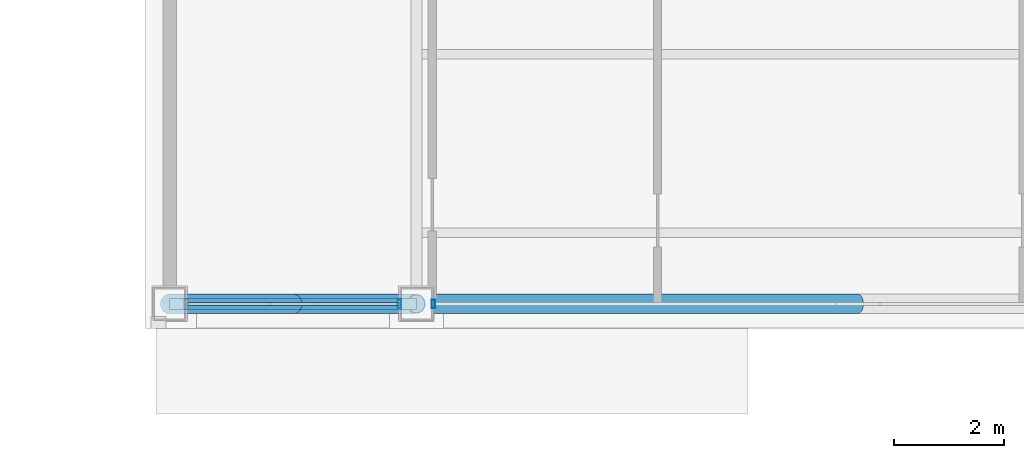
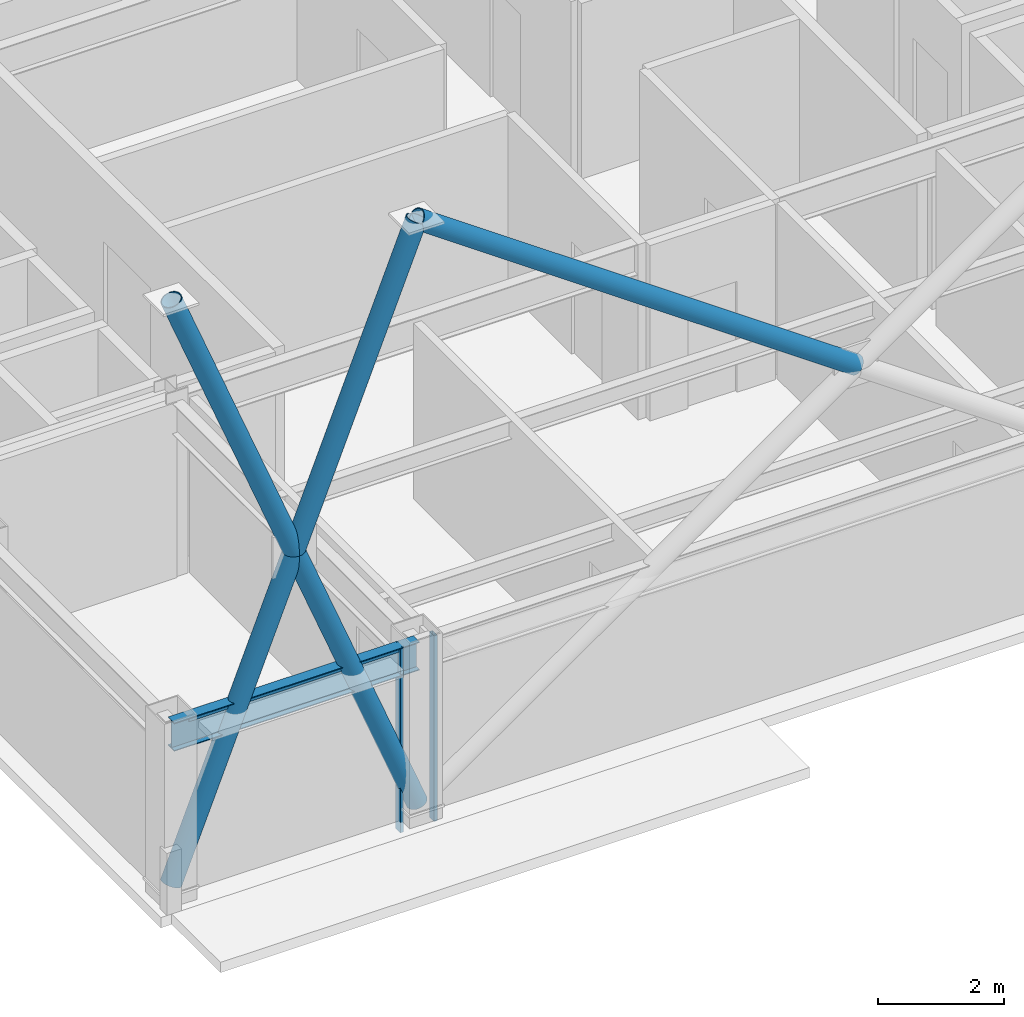
# One storey, part 3 of 24: 7 members, 1 beam, 2 elements without a shape of their own.
"""IFC4 building model written with IfcOpenShell, lengths in metres."""

from ifc_helpers import new_model, si_unit, direction, frame, origin, origin_2d, place, context, subcontext, project, spatial, hollow_rectangle, hollow_circle, i_section, extrude, material, layer, layer_set, material_profile, profile_set, type_object, element, aggregate, save


model = new_model("IFC4")

# Units and contexts
model_context = context("Model", 3, precision=1e-05, world=origin(), true_north=direction((0.0, 1.0)))
body_context = subcontext(model_context, "Body", "Model", "MODEL_VIEW")
ifc_project = project(units=[si_unit("LENGTHUNIT", "METRE"), si_unit("AREAUNIT", "SQUARE_METRE"), si_unit("VOLUMEUNIT", "CUBIC_METRE"), si_unit("PLANEANGLEUNIT", "RADIAN"), si_unit("MASSUNIT", "GRAM", prefix="KILO")], contexts=[model_context])

# Site, building, storey
site_placement = place(None, origin())
site = spatial("IfcSite", under=ifc_project, at=site_placement, CompositionType="ELEMENT")
building_placement = place(site_placement, origin())
building = spatial("IfcBuilding", under=site, at=building_placement, Name="Brelmoor Portico Tower", CompositionType="ELEMENT")
storey_placement = place(building_placement, frame((0.0, 0.0, 268.800048828125)))
storey = spatial("IfcBuildingStorey", under=building, at=storey_placement, Name="L71", CompositionType="ELEMENT", Elevation=268.800048828125)

# Beam
ifc_material_1 = material(Name="Steel Q355B", Category="steel")
ifc_material_profile_1 = material_profile(ifc_material_1, i_section(OverallWidth=0.199951171875, OverallDepth=0.550048828125, WebThickness=0.010009765625, FlangeThickness=0.01611328125, at=origin_2d()), Name="HN 550x200x10x16")
ifc_profile_set_1 = profile_set([ifc_material_profile_1], Name="Steel Q355B")
beam_type = type_object("IfcBeamType", Name="BM-SP-550", PredefinedType="SPANDREL", material=ifc_profile_set_1)
beam_placement = place(storey_placement, frame((-12.550048828125, -17.550048828125, 3.125), z_axis=(1.0, 0.0, 0.0), x_axis=(0.0, 1.0, 0.0)))
element("IfcBeam", 1, at=beam_placement, inside=storey, type_object=beam_type, Name="L71 Perimeter Spandrel Beam SP-01", PredefinedType="SPANDREL", context=body_context, shape_type="SweptSolid", body=[
    extrude(i_section(OverallWidth=0.199951171875, OverallDepth=0.550048828125, WebThickness=0.010009765625, FlangeThickness=0.01611328125, at=origin_2d()), origin(), (0.0, 0.0, 1.0), 4.5),
])

# Members
ifc_material_profile_2 = material_profile(ifc_material_1, hollow_circle(Radius=0.177978515625, WallThickness=0.01611328125, at=origin_2d()), Name="CHS 356x16")
ifc_profile_set_2 = profile_set([ifc_material_profile_2], Name="Steel Q355B")
member_type_1 = type_object("IfcMemberType", Name="MB-BELT-DIAG2", PredefinedType="BRACE", material=ifc_profile_set_2)
member_1_placement = place(storey_placement, frame((-12.550048828125, -17.550048828125, 0.25), z_axis=(0.369971343663, 0.0, 0.929043166311), x_axis=(0.0, 1.0, 0.0)))
element("IfcMember", 2, at=member_1_placement, inside=storey, type_object=member_type_1, Name="L71 Continuous Mega-X Brace 155A", PredefinedType="BRACE", context=body_context, shape_type="SweptSolid", body=[
    extrude(hollow_circle(Radius=0.177978515625, WallThickness=0.01611328125, at=origin_2d()), origin(), (0.0, 0.0, 1.0), 12.1630859375),
])
member_2_placement = place(storey_placement, frame((-8.050048828125, -17.550048828125, 0.25), z_axis=(-0.369978242995, 0.0, 0.929040418771), x_axis=(0.0, -1.0, 0.0)))
element("IfcMember", 3, at=member_2_placement, inside=storey, type_object=member_type_1, Name="L71 Split Mega-X Brace 155B1", PredefinedType="BRACE", context=body_context, shape_type="SweptSolid", body=[
    extrude(hollow_circle(Radius=0.177978515625, WallThickness=0.01611328125, at=origin_2d()), origin(), (0.0, 0.0, 1.0), 6.08154296875),
])
member_3_placement = place(storey_placement, frame((-10.300048828125, -17.550048828125, 5.89990234375), z_axis=(-0.369964444567, 0.0, 0.929045913696), x_axis=(0.0, -1.0, 0.0)))
element("IfcMember", 4, at=member_3_placement, inside=storey, type_object=member_type_1, Name="L71 Split Mega-X Brace 155B2", PredefinedType="BRACE", context=body_context, shape_type="SweptSolid", body=[
    extrude(hollow_circle(Radius=0.177978515625, WallThickness=0.01611328125, at=origin_2d()), origin(), (0.0, 0.0, 1.0), 6.081787109375),
])
member_4_placement = place(storey_placement, frame((0.0, -17.550048828125, 5.89990234375), z_axis=(-0.81850938709, 0.0, 0.57449315335), x_axis=(0.0, -1.0, 0.0)))
element("IfcMember", 5, at=member_4_placement, inside=storey, type_object=member_type_1, Name="L71 Split Mega-X Brace 156B2", PredefinedType="BRACE", context=body_context, shape_type="SweptSolid", body=[
    extrude(hollow_circle(Radius=0.177978515625, WallThickness=0.01611328125, at=origin_2d()), origin(), (0.0, 0.0, 1.0), 9.8349609375),
])

# Curtain wall, member
ifc_material_2 = material(Name="Anodised Aluminium Alloy 6063-T6", Category="aluminium")
ifc_layer = layer(ifc_material_2, 0.179931640625)
ifc_layer_set = layer_set([ifc_layer], Name="Anodised Aluminium Alloy 6063-T6")
curtain_wall_type = type_object("IfcCurtainWallType", Name="CW-TOWER-Z4-XB", PredefinedType="NOTDEFINED", material=ifc_layer_set)
curtain_wall_1_placement = place(storey_placement, origin())
curtain_wall_1 = element("IfcCurtainWall", 6, at=curtain_wall_1_placement, inside=storey, type_object=curtain_wall_type, Name="L71 Curtain Wall CW-L71-01-1", PredefinedType="NOTDEFINED")
ifc_material_profile_3 = material_profile(ifc_material_2, hollow_rectangle(XDim=0.06005859375, YDim=0.14990234375, WallThickness=0.00390625, at=origin_2d()), Name="ALU MULLION 60x150")
ifc_profile_set_3 = profile_set([ifc_material_profile_3], Name="Anodised Aluminium Alloy 6063-T6")
member_type_2 = type_object("IfcMemberType", Name="MB-CW-MULL-150", PredefinedType="MULLION", material=ifc_profile_set_3)
member_5_placement = place(storey_placement, frame((-8.360107421875, -17.550048828125, -0.199951171875), z_axis=(0.0, 0.0, 1.0), x_axis=(1.0, 0.0, 0.0)))
member_5 = element("IfcMember", 7, at=member_5_placement, type_object=member_type_2, Name="CW-L71-01-1 Mullion 01", PredefinedType="MULLION", context=body_context, shape_type="SweptSolid", body=[
    extrude(hollow_rectangle(XDim=0.06005859375, YDim=0.14990234375, WallThickness=0.00390625, at=origin_2d()), origin(), (0.0, 0.0, 1.0), 3.599853515625),
])

curtain_wall_2_placement = place(storey_placement, origin())
curtain_wall_2 = element("IfcCurtainWall", 8, at=curtain_wall_2_placement, inside=storey, type_object=curtain_wall_type, Name="L71 Curtain Wall CW-L71-01-2", PredefinedType="NOTDEFINED")
member_6_placement = place(storey_placement, frame((-7.739990234375, -17.550048828125, -0.199951171875), z_axis=(0.0, 0.0, 1.0), x_axis=(1.0, 0.0, 0.0)))
member_6 = element("IfcMember", 9, at=member_6_placement, type_object=member_type_2, Name="CW-L71-01-2 Mullion 00", PredefinedType="MULLION", context=body_context, shape_type="SweptSolid", body=[
    extrude(hollow_rectangle(XDim=0.06005859375, YDim=0.14990234375, WallThickness=0.00390625, at=origin_2d()), origin(), (0.0, 0.0, 1.0), 3.599853515625),
])
aggregate(curtain_wall_2, [member_6])

# Member
ifc_material_profile_4 = material_profile(ifc_material_2, hollow_rectangle(XDim=0.06005859375, YDim=0.125, WallThickness=0.00341796875, at=origin_2d()), Name="ALU TRANSOM 60x125")
ifc_profile_set_4 = profile_set([ifc_material_profile_4], Name="Anodised Aluminium Alloy 6063-T6")
member_type_3 = type_object("IfcMemberType", Name="MB-CW-TRAN-125", PredefinedType="USERDEFINED", material=ifc_profile_set_4)
member_7_placement = place(storey_placement, frame((-12.239990234375, -17.550048828125, 3.33740234375), z_axis=(1.0, 0.0, 0.0), x_axis=(0.0, 1.0, 0.0)))
member_7 = element("IfcMember", 10, at=member_7_placement, type_object=member_type_3, Name="CW-L71-01-1 Transom 1-00", ObjectType="TRANSOM", PredefinedType="USERDEFINED", context=body_context, shape_type="SweptSolid", body=[
    extrude(hollow_rectangle(XDim=0.06005859375, YDim=0.125, WallThickness=0.00341796875, at=origin_2d()), origin(), (0.0, 0.0, 1.0), 3.8798828125),
])

aggregate(curtain_wall_1, [member_5, member_7])

save(model, "model.ifc")
